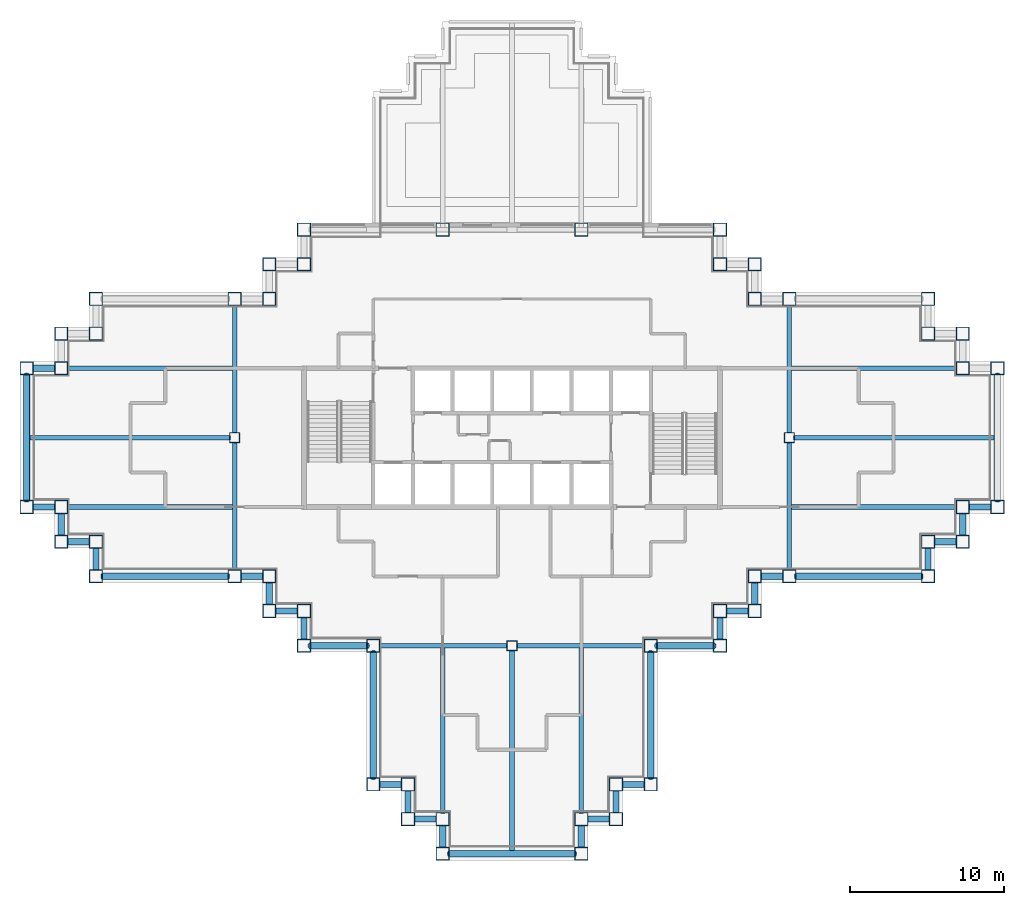
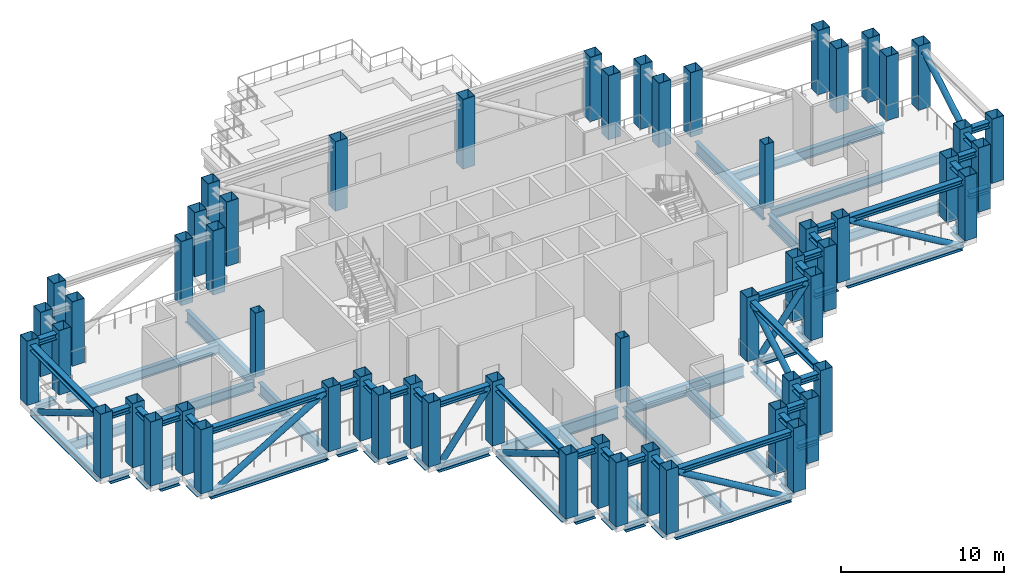
# One storey, part 1 of 10: 81 beams, 57 columns, 9 members.
"""IFC4 building model written with IfcOpenShell, lengths in metres."""

from ifc_helpers import new_model, si_unit, direction, frame, origin, origin_2d, place, context, subcontext, project, spatial, hollow_rectangle, hollow_circle, i_section, extrude, material, material_profile, profile_set, type_object, element, save


model = new_model("IFC4")

# Units and contexts
model_context = context("Model", 3, precision=1e-05, world=origin(), true_north=direction((0.0, 1.0)))
body_context = subcontext(model_context, "Body", "Model", "MODEL_VIEW")
ifc_project = project(units=[si_unit("LENGTHUNIT", "METRE"), si_unit("AREAUNIT", "SQUARE_METRE"), si_unit("VOLUMEUNIT", "CUBIC_METRE"), si_unit("PLANEANGLEUNIT", "RADIAN"), si_unit("MASSUNIT", "GRAM", prefix="KILO")], contexts=[model_context])

# Site, building, storey
site_placement = place(None, origin())
site = spatial("IfcSite", under=ifc_project, at=site_placement, CompositionType="ELEMENT")
building_placement = place(site_placement, origin())
building = spatial("IfcBuilding", under=site, at=building_placement, Name="Caravel Reach Hotel and Residences", CompositionType="ELEMENT")
storey_placement = place(building_placement, frame((0.0, 0.0, 140.39990234375)))
storey = spatial("IfcBuildingStorey", under=building, at=storey_placement, Name="L35", CompositionType="ELEMENT", Elevation=140.39990234375)

# Columns
ifc_material_1 = material(Name="Concrete-filled steel tube Q390B with Concrete C70 infill", Category="concrete")
ifc_material_profile_1 = material_profile(ifc_material_1, hollow_rectangle(XDim=0.64990234375, YDim=0.64990234375, WallThickness=0.02099609375, at=origin_2d()), Name="RHS 650x650x21")
ifc_profile_set_1 = profile_set([ifc_material_profile_1], Name="Concrete-filled steel tube Q390B with Concrete C70 infill")
column_type_1 = type_object("IfcColumnType", Name="CFT 650x650 Q390B C70", PredefinedType="COLUMN", material=ifc_profile_set_1)
for number, where, z_axis, x_axis, name in (
    (1, (31.5, 13.5, 0.0), (0.0, 0.0, 1.0), (1.0, 0.0, 0.0), "C17 column"),
    (2, (13.5, 27.0, 0.0), (0.0, 0.0, 1.0), (1.0, 0.0, 0.0), "C17 column"),
    (3, (49.5, 27.0, 0.0), (0.0, 0.0, 1.0), (1.0, 0.0, 0.0), "C17 column"),
):
    element("IfcColumn", number, at=place(storey_placement, frame(where, z_axis=z_axis, x_axis=x_axis)), inside=storey, type_object=column_type_1, Name=name, PredefinedType="COLUMN", context=body_context, shape_type="SweptSolid", body=[
        extrude(hollow_rectangle(XDim=0.64990234375, YDim=0.64990234375, WallThickness=0.02099609375, at=origin_2d()), origin(), (0.0, 0.0, 1.0), 4.800048828125),
    ])
ifc_material_2 = material(Name="Concrete-filled steel tube Q390B with Concrete C70 infill", Category="concrete")
ifc_material_profile_2 = material_profile(ifc_material_2, hollow_rectangle(XDim=0.85009765625, YDim=0.85009765625, WallThickness=0.02587890625, at=origin_2d()), Name="RHS 850x850x26")
ifc_profile_set_2 = profile_set([ifc_material_profile_2], Name="Concrete-filled steel tube Q390B with Concrete C70 infill")
column_type_2 = type_object("IfcColumnType", Name="CFT 850x850 Q390B C70", PredefinedType="COLUMN", material=ifc_profile_set_2)
for number, where, z_axis, x_axis, name in (
    (4, (22.5, 4.5, 0.0), (0.0, 0.0, 1.0), (1.0, 0.0, 0.0), "C13 column"),
    (5, (24.75, 4.5, 0.0), (0.0, 0.0, 1.0), (1.0, 0.0, 0.0), "C13 column"),
    (6, (24.75, 2.25, 0.0), (0.0, 0.0, 1.0), (1.0, 0.0, 0.0), "C13 column"),
    (7, (27.0, 2.25, 0.0), (0.0, 0.0, 1.0), (1.0, 0.0, 0.0), "C13 column"),
    (8, (27.0, 0.0, 0.0), (0.0, 0.0, 1.0), (1.0, 0.0, 0.0), "C13 column"),
    (9, (36.0, 0.0, 0.0), (0.0, 0.0, 1.0), (1.0, 0.0, 0.0), "C13 column"),
    (10, (36.0, 2.25, 0.0), (0.0, 0.0, 1.0), (1.0, 0.0, 0.0), "C13 column"),
    (11, (38.25, 2.25, 0.0), (0.0, 0.0, 1.0), (1.0, 0.0, 0.0), "C13 column"),
    (12, (38.25, 4.5, 0.0), (0.0, 0.0, 1.0), (1.0, 0.0, 0.0), "C13 column"),
    (13, (40.5, 4.5, 0.0), (0.0, 0.0, 1.0), (1.0, 0.0, 0.0), "C13 column"),
    (14, (40.5, 13.5, 0.0), (0.0, 0.0, 1.0), (1.0, 0.0, 0.0), "C13 column"),
    (15, (45.0, 13.5, 0.0), (0.0, 0.0, 1.0), (1.0, 0.0, 0.0), "C13 column"),
    (16, (45.0, 15.75, 0.0), (0.0, 0.0, 1.0), (1.0, 0.0, 0.0), "C13 column"),
    (17, (47.25, 15.75, 0.0), (0.0, 0.0, 1.0), (1.0, 0.0, 0.0), "C13 column"),
    (18, (47.25, 18.0, 0.0), (0.0, 0.0, 1.0), (1.0, 0.0, 0.0), "C13 column"),
    (19, (49.5, 18.0, 0.0), (0.0, 0.0, 1.0), (1.0, 0.0, 0.0), "C13 column"),
    (20, (58.5, 18.0, 0.0), (0.0, 0.0, 1.0), (1.0, 0.0, 0.0), "C13 column"),
    (21, (58.5, 20.25, 0.0), (0.0, 0.0, 1.0), (1.0, 0.0, 0.0), "C13 column"),
    (22, (60.75, 20.25, 0.0), (0.0, 0.0, 1.0), (1.0, 0.0, 0.0), "C13 column"),
    (23, (60.75, 22.5, 0.0), (0.0, 0.0, 1.0), (1.0, 0.0, 0.0), "C13 column"),
    (24, (63.0, 22.5, 0.0), (0.0, 0.0, 1.0), (1.0, 0.0, 0.0), "C13 column"),
    (25, (63.0, 31.5, 0.0), (0.0, 0.0, 1.0), (1.0, 0.0, 0.0), "C13 column"),
    (26, (60.75, 31.5, 0.0), (0.0, 0.0, 1.0), (1.0, 0.0, 0.0), "C13 column"),
    (27, (60.75, 33.75, 0.0), (0.0, 0.0, 1.0), (1.0, 0.0, 0.0), "C13 column"),
    (28, (58.5, 33.75, 0.0), (0.0, 0.0, 1.0), (1.0, 0.0, 0.0), "C13 column"),
    (29, (58.5, 36.0, 0.0), (0.0, 0.0, 1.0), (1.0, 0.0, 0.0), "C13 column"),
    (30, (49.5, 36.0, 0.0), (0.0, 0.0, 1.0), (1.0, 0.0, 0.0), "C13 column"),
    (31, (47.25, 36.0, 0.0), (0.0, 0.0, 1.0), (1.0, 0.0, 0.0), "C13 column"),
    (32, (47.25, 38.25, 0.0), (0.0, 0.0, 1.0), (1.0, 0.0, 0.0), "C13 column"),
    (33, (45.0, 38.25, 0.0), (0.0, 0.0, 1.0), (1.0, 0.0, 0.0), "C13 column"),
    (34, (45.0, 40.5, 0.0), (0.0, 0.0, 1.0), (1.0, 0.0, 0.0), "C13 column"),
):
    element("IfcColumn", number, at=place(storey_placement, frame(where, z_axis=z_axis, x_axis=x_axis)), inside=storey, type_object=column_type_2, Name=name, PredefinedType="COLUMN", context=body_context, shape_type="SweptSolid", body=[
        extrude(hollow_rectangle(XDim=0.85009765625, YDim=0.85009765625, WallThickness=0.02587890625, at=origin_2d()), origin(), (0.0, 0.0, 1.0), 4.800048828125),
    ])
for number, where, z_axis, x_axis, name in (
    (35, (36.0, 40.5, -0.39990234375), (0.0, 0.0, 1.0), (1.0, 0.0, 0.0), "C13 column"),
    (36, (27.0, 40.5, -0.39990234375), (0.0, 0.0, 1.0), (1.0, 0.0, 0.0), "C13 column"),
):
    element("IfcColumn", number, at=place(storey_placement, frame(where, z_axis=z_axis, x_axis=x_axis)), inside=storey, type_object=column_type_2, Name=name, PredefinedType="COLUMN", context=body_context, shape_type="SweptSolid", body=[
        extrude(hollow_rectangle(XDim=0.85009765625, YDim=0.85009765625, WallThickness=0.02587890625, at=origin_2d()), origin(), (0.0, 0.0, 1.0), 5.199951171875),
    ])
for number, where, z_axis, x_axis, name in (
    (37, (18.0, 40.5, 0.0), (0.0, 0.0, 1.0), (1.0, 0.0, 0.0), "C13 column"),
    (38, (18.0, 38.25, 0.0), (0.0, 0.0, 1.0), (1.0, 0.0, 0.0), "C13 column"),
    (39, (15.75, 38.25, 0.0), (0.0, 0.0, 1.0), (1.0, 0.0, 0.0), "C13 column"),
    (40, (15.75, 36.0, 0.0), (0.0, 0.0, 1.0), (1.0, 0.0, 0.0), "C13 column"),
    (41, (13.5, 36.0, 0.0), (0.0, 0.0, 1.0), (1.0, 0.0, 0.0), "C13 column"),
    (42, (4.5, 36.0, 0.0), (0.0, 0.0, 1.0), (1.0, 0.0, 0.0), "C13 column"),
    (43, (4.5, 33.75, 0.0), (0.0, 0.0, 1.0), (1.0, 0.0, 0.0), "C13 column"),
    (44, (2.25, 33.75, 0.0), (0.0, 0.0, 1.0), (1.0, 0.0, 0.0), "C13 column"),
    (45, (2.25, 31.5, 0.0), (0.0, 0.0, 1.0), (1.0, 0.0, 0.0), "C13 column"),
    (46, (0.0, 31.5, 0.0), (0.0, 0.0, 1.0), (1.0, 0.0, 0.0), "C13 column"),
    (47, (0.0, 22.5, 0.0), (0.0, 0.0, 1.0), (1.0, 0.0, 0.0), "C13 column"),
    (48, (2.25, 22.5, 0.0), (0.0, 0.0, 1.0), (1.0, 0.0, 0.0), "C13 column"),
    (49, (2.25, 20.25, 0.0), (0.0, 0.0, 1.0), (1.0, 0.0, 0.0), "C13 column"),
    (50, (4.5, 20.25, 0.0), (0.0, 0.0, 1.0), (1.0, 0.0, 0.0), "C13 column"),
    (51, (4.5, 18.0, 0.0), (0.0, 0.0, 1.0), (1.0, 0.0, 0.0), "C13 column"),
    (52, (13.5, 18.0, 0.0), (0.0, 0.0, 1.0), (1.0, 0.0, 0.0), "C13 column"),
    (53, (15.75, 18.0, 0.0), (0.0, 0.0, 1.0), (1.0, 0.0, 0.0), "C13 column"),
    (54, (15.75, 15.75, 0.0), (0.0, 0.0, 1.0), (1.0, 0.0, 0.0), "C13 column"),
    (55, (18.0, 15.75, 0.0), (0.0, 0.0, 1.0), (1.0, 0.0, 0.0), "C13 column"),
    (56, (18.0, 13.5, 0.0), (0.0, 0.0, 1.0), (1.0, 0.0, 0.0), "C13 column"),
    (57, (22.5, 13.5, 0.0), (0.0, 0.0, 1.0), (1.0, 0.0, 0.0), "C13 column"),
):
    element("IfcColumn", number, at=place(storey_placement, frame(where, z_axis=z_axis, x_axis=x_axis)), inside=storey, type_object=column_type_2, Name=name, PredefinedType="COLUMN", context=body_context, shape_type="SweptSolid", body=[
        extrude(hollow_rectangle(XDim=0.85009765625, YDim=0.85009765625, WallThickness=0.02587890625, at=origin_2d()), origin(), (0.0, 0.0, 1.0), 4.800048828125),
    ])

# Beams
ifc_material_3 = material(Name="Structural steel Q355B", Category="steel")
ifc_material_profile_3 = material_profile(ifc_material_3, i_section(OverallWidth=0.300048828125, OverallDepth=0.699951171875, WebThickness=0.012939453125, FlangeThickness=0.02392578125, FilletRadius=0.01806640625, at=origin_2d()), Name="HN 700x300x13x24")
ifc_profile_set_3 = profile_set([ifc_material_profile_3], Name="Structural steel Q355B")
beam_type_1 = type_object("IfcBeamType", Name="Beam HN 700x300x13x24", PredefinedType="BEAM", material=ifc_profile_set_3)
beam_1_placement = place(storey_placement, frame((27.0, 13.39990234375, -0.75), z_axis=(0.0, -1.0, 0.0), x_axis=(1.0, 0.0, 0.0)))
element("IfcBeam", 58, at=beam_1_placement, inside=storey, type_object=beam_type_1, Name="B2 HN 700x300x13x24", PredefinedType="BEAM", context=body_context, shape_type="SweptSolid", body=[
    extrude(i_section(OverallWidth=0.300048828125, OverallDepth=0.699951171875, WebThickness=0.012939453125, FlangeThickness=0.02392578125, FilletRadius=0.01806640625, at=origin_2d()), origin(), (0.0, 0.0, 1.0), 10.77490234375),
])
beam_2_placement = place(storey_placement, frame((31.5, 13.22509765625, -0.75), z_axis=(0.0, -1.0, 0.0), x_axis=(1.0, 0.0, 0.0)))
element("IfcBeam", 59, at=beam_2_placement, inside=storey, type_object=beam_type_1, Name="B2 HN 700x300x13x24", PredefinedType="BEAM", context=body_context, shape_type="SweptSolid", body=[
    extrude(i_section(OverallWidth=0.300048828125, OverallDepth=0.699951171875, WebThickness=0.012939453125, FlangeThickness=0.02392578125, FilletRadius=0.01806640625, at=origin_2d()), origin(), (0.0, 0.0, 1.0), 13.125),
])
for number, where, z_axis, x_axis, name in (
    (60, (36.0, 13.39990234375, -0.75), (0.0, -1.0, 0.0), (1.0, 0.0, 0.0), "B2 HN 700x300x13x24"),
    (61, (49.60009765625, 22.5, -0.75), (1.0, 0.0, 0.0), (0.0, 1.0, 0.0), "B2 HN 700x300x13x24"),
):
    element("IfcBeam", number, at=place(storey_placement, frame(where, z_axis=z_axis, x_axis=x_axis)), inside=storey, type_object=beam_type_1, Name=name, PredefinedType="BEAM", context=body_context, shape_type="SweptSolid", body=[
        extrude(i_section(OverallWidth=0.300048828125, OverallDepth=0.699951171875, WebThickness=0.012939453125, FlangeThickness=0.02392578125, FilletRadius=0.01806640625, at=origin_2d()), origin(), (0.0, 0.0, 1.0), 10.77490234375),
    ])
beam_3_placement = place(storey_placement, frame((49.77490234375, 27.0, -0.75), z_axis=(1.0, 0.0, 0.0), x_axis=(0.0, 1.0, 0.0)))
element("IfcBeam", 62, at=beam_3_placement, inside=storey, type_object=beam_type_1, Name="B2 HN 700x300x13x24", PredefinedType="BEAM", context=body_context, shape_type="SweptSolid", body=[
    extrude(i_section(OverallWidth=0.300048828125, OverallDepth=0.699951171875, WebThickness=0.012939453125, FlangeThickness=0.02392578125, FilletRadius=0.01806640625, at=origin_2d()), origin(), (0.0, 0.0, 1.0), 13.125),
])
for number, where, z_axis, x_axis, name in (
    (63, (49.60009765625, 31.5, -0.75), (1.0, 0.0, 0.0), (0.0, 1.0, 0.0), "B2 HN 700x300x13x24"),
    (64, (13.39990234375, 22.5, -0.75), (-1.0, 0.0, 0.0), (0.0, -1.0, 0.0), "B2 HN 700x300x13x24"),
):
    element("IfcBeam", number, at=place(storey_placement, frame(where, z_axis=z_axis, x_axis=x_axis)), inside=storey, type_object=beam_type_1, Name=name, PredefinedType="BEAM", context=body_context, shape_type="SweptSolid", body=[
        extrude(i_section(OverallWidth=0.300048828125, OverallDepth=0.699951171875, WebThickness=0.012939453125, FlangeThickness=0.02392578125, FilletRadius=0.01806640625, at=origin_2d()), origin(), (0.0, 0.0, 1.0), 10.77490234375),
    ])
beam_4_placement = place(storey_placement, frame((13.22509765625, 27.0, -0.75), z_axis=(-1.0, 0.0, 0.0), x_axis=(0.0, -1.0, 0.0)))
element("IfcBeam", 65, at=beam_4_placement, inside=storey, type_object=beam_type_1, Name="B2 HN 700x300x13x24", PredefinedType="BEAM", context=body_context, shape_type="SweptSolid", body=[
    extrude(i_section(OverallWidth=0.300048828125, OverallDepth=0.699951171875, WebThickness=0.012939453125, FlangeThickness=0.02392578125, FilletRadius=0.01806640625, at=origin_2d()), origin(), (0.0, 0.0, 1.0), 13.125),
])
beam_5_placement = place(storey_placement, frame((13.39990234375, 31.5, -0.75), z_axis=(-1.0, 0.0, 0.0), x_axis=(0.0, -1.0, 0.0)))
element("IfcBeam", 66, at=beam_5_placement, inside=storey, type_object=beam_type_1, Name="B2 HN 700x300x13x24", PredefinedType="BEAM", context=body_context, shape_type="SweptSolid", body=[
    extrude(i_section(OverallWidth=0.300048828125, OverallDepth=0.699951171875, WebThickness=0.012939453125, FlangeThickness=0.02392578125, FilletRadius=0.01806640625, at=origin_2d()), origin(), (0.0, 0.0, 1.0), 10.77490234375),
])
ifc_material_4 = material(Name="Structural steel Q355B", Category="steel")
ifc_material_profile_4 = material_profile(ifc_material_4, i_section(OverallWidth=0.300048828125, OverallDepth=0.89990234375, WebThickness=0.01611328125, FlangeThickness=0.028076171875, FilletRadius=0.01806640625, at=origin_2d()), Name="HN 900x300x16x28")
ifc_profile_set_4 = profile_set([ifc_material_profile_4], Name="Structural steel Q355B")
beam_type_2 = type_object("IfcBeamType", Name="Beam HN 900x300x16x28", PredefinedType="BEAM", material=ifc_profile_set_4)
for number, where, z_axis, x_axis, name in (
    (67, (22.925048828125, 13.5, -0.849853515625), (1.0, 0.0, 0.0), (0.0, 1.0, 0.0), "B3 HN 900x300x16x28"),
    (68, (31.824951171875, 13.5, -0.849853515625), (1.0, 0.0, 0.0), (0.0, 1.0, 0.0), "B3 HN 900x300x16x28"),
    (69, (13.5, 18.425048828125, -0.849853515625), (0.0, 1.0, 0.0), (-1.0, 0.0, 0.0), "B3 HN 900x300x16x28"),
    (70, (13.5, 27.324951171875, -0.849853515625), (0.0, 1.0, 0.0), (-1.0, 0.0, 0.0), "B3 HN 900x300x16x28"),
    (71, (49.5, 18.425048828125, -0.849853515625), (0.0, 1.0, 0.0), (-1.0, 0.0, 0.0), "B3 HN 900x300x16x28"),
    (72, (49.5, 27.324951171875, -0.849853515625), (0.0, 1.0, 0.0), (-1.0, 0.0, 0.0), "B3 HN 900x300x16x28"),
):
    element("IfcBeam", number, at=place(storey_placement, frame(where, z_axis=z_axis, x_axis=x_axis)), inside=storey, type_object=beam_type_2, Name=name, PredefinedType="BEAM", context=body_context, shape_type="SweptSolid", body=[
        extrude(i_section(OverallWidth=0.300048828125, OverallDepth=0.89990234375, WebThickness=0.01611328125, FlangeThickness=0.028076171875, FilletRadius=0.01806640625, at=origin_2d()), origin(), (0.0, 0.0, 1.0), 8.25),
    ])
ifc_material_5 = material(Name="Structural steel Q355B", Category="steel")
ifc_material_profile_5 = material_profile(ifc_material_5, i_section(OverallWidth=0.406982421875, OverallDepth=0.427978515625, WebThickness=0.02001953125, FlangeThickness=0.034912109375, FilletRadius=0.02197265625, at=origin_2d()), Name="HW 428x407x20x35")
ifc_profile_set_5 = profile_set([ifc_material_profile_5], Name="Structural steel Q355B")
beam_type_3 = type_object("IfcBeamType", Name="Beam HW 428x407x20x35", PredefinedType="BEAM", material=ifc_profile_set_5)
for number, where, z_axis, x_axis, name in (
    (73, (22.925048828125, 4.5, -0.614013671875), (1.0, 0.0, 0.0), (0.0, 1.0, 0.0), "Belt truss BT-L35 bottom chord"),
    (74, (22.925048828125, 4.5, 4.236083984375), (1.0, 0.0, 0.0), (0.0, 1.0, 0.0), "Belt truss BT-L35 top chord"),
    (75, (24.75, 4.074951171875, -0.614013671875), (0.0, -1.0, 0.0), (1.0, 0.0, 0.0), "Belt truss BT-L35 bottom chord"),
    (76, (24.75, 4.074951171875, 4.236083984375), (0.0, -1.0, 0.0), (1.0, 0.0, 0.0), "Belt truss BT-L35 top chord"),
    (77, (25.175048828125, 2.25, -0.614013671875), (1.0, 0.0, 0.0), (0.0, 1.0, 0.0), "Belt truss BT-L35 bottom chord"),
    (78, (25.175048828125, 2.25, 4.236083984375), (1.0, 0.0, 0.0), (0.0, 1.0, 0.0), "Belt truss BT-L35 top chord"),
    (79, (27.0, 1.824951171875, -0.614013671875), (0.0, -1.0, 0.0), (1.0, 0.0, 0.0), "Belt truss BT-L35 bottom chord"),
    (80, (27.0, 1.824951171875, 4.236083984375), (0.0, -1.0, 0.0), (1.0, 0.0, 0.0), "Belt truss BT-L35 top chord"),
):
    element("IfcBeam", number, at=place(storey_placement, frame(where, z_axis=z_axis, x_axis=x_axis)), inside=storey, type_object=beam_type_3, Name=name, PredefinedType="BEAM", context=body_context, shape_type="SweptSolid", body=[
        extrude(i_section(OverallWidth=0.406982421875, OverallDepth=0.427978515625, WebThickness=0.02001953125, FlangeThickness=0.034912109375, FilletRadius=0.02197265625, at=origin_2d()), origin(), (0.0, 0.0, 1.0), 1.39990234375),
    ])
for number, where, z_axis, x_axis, name in (
    (81, (27.425048828125, 0.0, -0.614013671875), (1.0, 0.0, 0.0), (0.0, 1.0, 0.0), "Belt truss BT-L35 bottom chord"),
    (82, (27.425048828125, 0.0, 4.236083984375), (1.0, 0.0, 0.0), (0.0, 1.0, 0.0), "Belt truss BT-L35 top chord"),
):
    element("IfcBeam", number, at=place(storey_placement, frame(where, z_axis=z_axis, x_axis=x_axis)), inside=storey, type_object=beam_type_3, Name=name, PredefinedType="BEAM", context=body_context, shape_type="SweptSolid", body=[
        extrude(i_section(OverallWidth=0.406982421875, OverallDepth=0.427978515625, WebThickness=0.02001953125, FlangeThickness=0.034912109375, FilletRadius=0.02197265625, at=origin_2d()), origin(), (0.0, 0.0, 1.0), 8.14990234375),
    ])
for number, where, z_axis, x_axis, name in (
    (83, (36.0, 0.425048828125, -0.614013671875), (0.0, 1.0, 0.0), (-1.0, 0.0, 0.0), "Belt truss BT-L35 bottom chord"),
    (84, (36.0, 0.425048828125, 4.236083984375), (0.0, 1.0, 0.0), (-1.0, 0.0, 0.0), "Belt truss BT-L35 top chord"),
    (85, (36.425048828125, 2.25, -0.614013671875), (1.0, 0.0, 0.0), (0.0, 1.0, 0.0), "Belt truss BT-L35 bottom chord"),
    (86, (36.425048828125, 2.25, 4.236083984375), (1.0, 0.0, 0.0), (0.0, 1.0, 0.0), "Belt truss BT-L35 top chord"),
    (87, (38.25, 2.675048828125, -0.614013671875), (0.0, 1.0, 0.0), (-1.0, 0.0, 0.0), "Belt truss BT-L35 bottom chord"),
    (88, (38.25, 2.675048828125, 4.236083984375), (0.0, 1.0, 0.0), (-1.0, 0.0, 0.0), "Belt truss BT-L35 top chord"),
    (89, (38.675048828125, 4.5, -0.614013671875), (1.0, 0.0, 0.0), (0.0, 1.0, 0.0), "Belt truss BT-L35 bottom chord"),
    (90, (38.675048828125, 4.5, 4.236083984375), (1.0, 0.0, 0.0), (0.0, 1.0, 0.0), "Belt truss BT-L35 top chord"),
):
    element("IfcBeam", number, at=place(storey_placement, frame(where, z_axis=z_axis, x_axis=x_axis)), inside=storey, type_object=beam_type_3, Name=name, PredefinedType="BEAM", context=body_context, shape_type="SweptSolid", body=[
        extrude(i_section(OverallWidth=0.406982421875, OverallDepth=0.427978515625, WebThickness=0.02001953125, FlangeThickness=0.034912109375, FilletRadius=0.02197265625, at=origin_2d()), origin(), (0.0, 0.0, 1.0), 1.39990234375),
    ])
for number, where, z_axis, x_axis, name in (
    (91, (40.5, 4.925048828125, -0.614013671875), (0.0, 1.0, 0.0), (-1.0, 0.0, 0.0), "Belt truss BT-L35 bottom chord"),
    (92, (40.5, 4.925048828125, 4.236083984375), (0.0, 1.0, 0.0), (-1.0, 0.0, 0.0), "Belt truss BT-L35 top chord"),
):
    element("IfcBeam", number, at=place(storey_placement, frame(where, z_axis=z_axis, x_axis=x_axis)), inside=storey, type_object=beam_type_3, Name=name, PredefinedType="BEAM", context=body_context, shape_type="SweptSolid", body=[
        extrude(i_section(OverallWidth=0.406982421875, OverallDepth=0.427978515625, WebThickness=0.02001953125, FlangeThickness=0.034912109375, FilletRadius=0.02197265625, at=origin_2d()), origin(), (0.0, 0.0, 1.0), 8.14990234375),
    ])
for number, where, z_axis, x_axis, name in (
    (93, (40.925048828125, 13.5, -0.614013671875), (1.0, 0.0, 0.0), (0.0, 1.0, 0.0), "Belt truss BT-L35 bottom chord"),
    (94, (40.925048828125, 13.5, 4.236083984375), (1.0, 0.0, 0.0), (0.0, 1.0, 0.0), "Belt truss BT-L35 top chord"),
):
    element("IfcBeam", number, at=place(storey_placement, frame(where, z_axis=z_axis, x_axis=x_axis)), inside=storey, type_object=beam_type_3, Name=name, PredefinedType="BEAM", context=body_context, shape_type="SweptSolid", body=[
        extrude(i_section(OverallWidth=0.406982421875, OverallDepth=0.427978515625, WebThickness=0.02001953125, FlangeThickness=0.034912109375, FilletRadius=0.02197265625, at=origin_2d()), origin(), (0.0, 0.0, 1.0), 3.64990234375),
    ])
for number, where, z_axis, x_axis, name in (
    (95, (45.0, 13.925048828125, -0.614013671875), (0.0, 1.0, 0.0), (-1.0, 0.0, 0.0), "Belt truss BT-L35 bottom chord"),
    (96, (45.0, 13.925048828125, 4.236083984375), (0.0, 1.0, 0.0), (-1.0, 0.0, 0.0), "Belt truss BT-L35 top chord"),
    (97, (45.425048828125, 15.75, -0.614013671875), (1.0, 0.0, 0.0), (0.0, 1.0, 0.0), "Belt truss BT-L35 bottom chord"),
    (98, (45.425048828125, 15.75, 4.236083984375), (1.0, 0.0, 0.0), (0.0, 1.0, 0.0), "Belt truss BT-L35 top chord"),
    (99, (47.25, 16.175048828125, -0.614013671875), (0.0, 1.0, 0.0), (-1.0, 0.0, 0.0), "Belt truss BT-L35 bottom chord"),
    (100, (47.25, 16.175048828125, 4.236083984375), (0.0, 1.0, 0.0), (-1.0, 0.0, 0.0), "Belt truss BT-L35 top chord"),
    (101, (47.675048828125, 18.0, -0.614013671875), (1.0, 0.0, 0.0), (0.0, 1.0, 0.0), "Belt truss BT-L35 bottom chord"),
    (102, (47.675048828125, 18.0, 4.236083984375), (1.0, 0.0, 0.0), (0.0, 1.0, 0.0), "Belt truss BT-L35 top chord"),
):
    element("IfcBeam", number, at=place(storey_placement, frame(where, z_axis=z_axis, x_axis=x_axis)), inside=storey, type_object=beam_type_3, Name=name, PredefinedType="BEAM", context=body_context, shape_type="SweptSolid", body=[
        extrude(i_section(OverallWidth=0.406982421875, OverallDepth=0.427978515625, WebThickness=0.02001953125, FlangeThickness=0.034912109375, FilletRadius=0.02197265625, at=origin_2d()), origin(), (0.0, 0.0, 1.0), 1.39990234375),
    ])
for number, where, z_axis, x_axis, name in (
    (103, (49.925048828125, 18.0, -0.614013671875), (1.0, 0.0, 0.0), (0.0, 1.0, 0.0), "Belt truss BT-L35 bottom chord"),
    (104, (49.925048828125, 18.0, 4.236083984375), (1.0, 0.0, 0.0), (0.0, 1.0, 0.0), "Belt truss BT-L35 top chord"),
):
    element("IfcBeam", number, at=place(storey_placement, frame(where, z_axis=z_axis, x_axis=x_axis)), inside=storey, type_object=beam_type_3, Name=name, PredefinedType="BEAM", context=body_context, shape_type="SweptSolid", body=[
        extrude(i_section(OverallWidth=0.406982421875, OverallDepth=0.427978515625, WebThickness=0.02001953125, FlangeThickness=0.034912109375, FilletRadius=0.02197265625, at=origin_2d()), origin(), (0.0, 0.0, 1.0), 8.14990234375),
    ])
for number, where, z_axis, x_axis, name in (
    (105, (58.5, 18.425048828125, -0.614013671875), (0.0, 1.0, 0.0), (-1.0, 0.0, 0.0), "Belt truss BT-L35 bottom chord"),
    (106, (58.5, 18.425048828125, 4.236083984375), (0.0, 1.0, 0.0), (-1.0, 0.0, 0.0), "Belt truss BT-L35 top chord"),
    (107, (58.925048828125, 20.25, -0.614013671875), (1.0, 0.0, 0.0), (0.0, 1.0, 0.0), "Belt truss BT-L35 bottom chord"),
    (108, (58.925048828125, 20.25, 4.236083984375), (1.0, 0.0, 0.0), (0.0, 1.0, 0.0), "Belt truss BT-L35 top chord"),
    (109, (60.75, 20.675048828125, -0.614013671875), (0.0, 1.0, 0.0), (-1.0, 0.0, 0.0), "Belt truss BT-L35 bottom chord"),
    (110, (60.75, 20.675048828125, 4.236083984375), (0.0, 1.0, 0.0), (-1.0, 0.0, 0.0), "Belt truss BT-L35 top chord"),
    (111, (61.175048828125, 22.5, -0.614013671875), (1.0, 0.0, 0.0), (0.0, 1.0, 0.0), "Belt truss BT-L35 bottom chord"),
    (112, (61.175048828125, 22.5, 4.236083984375), (1.0, 0.0, 0.0), (0.0, 1.0, 0.0), "Belt truss BT-L35 top chord"),
    (113, (1.824951171875, 31.5, -0.614013671875), (-1.0, 0.0, 0.0), (0.0, -1.0, 0.0), "Belt truss BT-L35 bottom chord"),
    (114, (1.824951171875, 31.5, 4.236083984375), (-1.0, 0.0, 0.0), (0.0, -1.0, 0.0), "Belt truss BT-L35 top chord"),
):
    element("IfcBeam", number, at=place(storey_placement, frame(where, z_axis=z_axis, x_axis=x_axis)), inside=storey, type_object=beam_type_3, Name=name, PredefinedType="BEAM", context=body_context, shape_type="SweptSolid", body=[
        extrude(i_section(OverallWidth=0.406982421875, OverallDepth=0.427978515625, WebThickness=0.02001953125, FlangeThickness=0.034912109375, FilletRadius=0.02197265625, at=origin_2d()), origin(), (0.0, 0.0, 1.0), 1.39990234375),
    ])
for number, where, z_axis, x_axis, name in (
    (115, (0.0, 31.074951171875, -0.614013671875), (0.0, -1.0, 0.0), (1.0, 0.0, 0.0), "Belt truss BT-L35 bottom chord"),
    (116, (0.0, 31.074951171875, 4.236083984375), (0.0, -1.0, 0.0), (1.0, 0.0, 0.0), "Belt truss BT-L35 top chord"),
):
    element("IfcBeam", number, at=place(storey_placement, frame(where, z_axis=z_axis, x_axis=x_axis)), inside=storey, type_object=beam_type_3, Name=name, PredefinedType="BEAM", context=body_context, shape_type="SweptSolid", body=[
        extrude(i_section(OverallWidth=0.406982421875, OverallDepth=0.427978515625, WebThickness=0.02001953125, FlangeThickness=0.034912109375, FilletRadius=0.02197265625, at=origin_2d()), origin(), (0.0, 0.0, 1.0), 8.14990234375),
    ])
for number, where, z_axis, x_axis, name in (
    (117, (0.425048828125, 22.5, -0.614013671875), (1.0, 0.0, 0.0), (0.0, 1.0, 0.0), "Belt truss BT-L35 bottom chord"),
    (118, (0.425048828125, 22.5, 4.236083984375), (1.0, 0.0, 0.0), (0.0, 1.0, 0.0), "Belt truss BT-L35 top chord"),
    (119, (2.25, 22.074951171875, -0.614013671875), (0.0, -1.0, 0.0), (1.0, 0.0, 0.0), "Belt truss BT-L35 bottom chord"),
    (120, (2.25, 22.074951171875, 4.236083984375), (0.0, -1.0, 0.0), (1.0, 0.0, 0.0), "Belt truss BT-L35 top chord"),
    (121, (2.675048828125, 20.25, -0.614013671875), (1.0, 0.0, 0.0), (0.0, 1.0, 0.0), "Belt truss BT-L35 bottom chord"),
    (122, (2.675048828125, 20.25, 4.236083984375), (1.0, 0.0, 0.0), (0.0, 1.0, 0.0), "Belt truss BT-L35 top chord"),
    (123, (4.5, 19.824951171875, -0.614013671875), (0.0, -1.0, 0.0), (1.0, 0.0, 0.0), "Belt truss BT-L35 bottom chord"),
    (124, (4.5, 19.824951171875, 4.236083984375), (0.0, -1.0, 0.0), (1.0, 0.0, 0.0), "Belt truss BT-L35 top chord"),
):
    element("IfcBeam", number, at=place(storey_placement, frame(where, z_axis=z_axis, x_axis=x_axis)), inside=storey, type_object=beam_type_3, Name=name, PredefinedType="BEAM", context=body_context, shape_type="SweptSolid", body=[
        extrude(i_section(OverallWidth=0.406982421875, OverallDepth=0.427978515625, WebThickness=0.02001953125, FlangeThickness=0.034912109375, FilletRadius=0.02197265625, at=origin_2d()), origin(), (0.0, 0.0, 1.0), 1.39990234375),
    ])
for number, where, z_axis, x_axis, name in (
    (125, (4.925048828125, 18.0, -0.614013671875), (1.0, 0.0, 0.0), (0.0, 1.0, 0.0), "Belt truss BT-L35 bottom chord"),
    (126, (4.925048828125, 18.0, 4.236083984375), (1.0, 0.0, 0.0), (0.0, 1.0, 0.0), "Belt truss BT-L35 top chord"),
):
    element("IfcBeam", number, at=place(storey_placement, frame(where, z_axis=z_axis, x_axis=x_axis)), inside=storey, type_object=beam_type_3, Name=name, PredefinedType="BEAM", context=body_context, shape_type="SweptSolid", body=[
        extrude(i_section(OverallWidth=0.406982421875, OverallDepth=0.427978515625, WebThickness=0.02001953125, FlangeThickness=0.034912109375, FilletRadius=0.02197265625, at=origin_2d()), origin(), (0.0, 0.0, 1.0), 8.14990234375),
    ])
for number, where, z_axis, x_axis, name in (
    (127, (13.925048828125, 18.0, -0.614013671875), (1.0, 0.0, 0.0), (0.0, 1.0, 0.0), "Belt truss BT-L35 bottom chord"),
    (128, (13.925048828125, 18.0, 4.236083984375), (1.0, 0.0, 0.0), (0.0, 1.0, 0.0), "Belt truss BT-L35 top chord"),
    (129, (15.75, 17.574951171875, -0.614013671875), (0.0, -1.0, 0.0), (1.0, 0.0, 0.0), "Belt truss BT-L35 bottom chord"),
    (130, (15.75, 17.574951171875, 4.236083984375), (0.0, -1.0, 0.0), (1.0, 0.0, 0.0), "Belt truss BT-L35 top chord"),
    (131, (16.175048828125, 15.75, -0.614013671875), (1.0, 0.0, 0.0), (0.0, 1.0, 0.0), "Belt truss BT-L35 bottom chord"),
    (132, (16.175048828125, 15.75, 4.236083984375), (1.0, 0.0, 0.0), (0.0, 1.0, 0.0), "Belt truss BT-L35 top chord"),
    (133, (18.0, 15.324951171875, -0.614013671875), (0.0, -1.0, 0.0), (1.0, 0.0, 0.0), "Belt truss BT-L35 bottom chord"),
    (134, (18.0, 15.324951171875, 4.236083984375), (0.0, -1.0, 0.0), (1.0, 0.0, 0.0), "Belt truss BT-L35 top chord"),
):
    element("IfcBeam", number, at=place(storey_placement, frame(where, z_axis=z_axis, x_axis=x_axis)), inside=storey, type_object=beam_type_3, Name=name, PredefinedType="BEAM", context=body_context, shape_type="SweptSolid", body=[
        extrude(i_section(OverallWidth=0.406982421875, OverallDepth=0.427978515625, WebThickness=0.02001953125, FlangeThickness=0.034912109375, FilletRadius=0.02197265625, at=origin_2d()), origin(), (0.0, 0.0, 1.0), 1.39990234375),
    ])
for number, where, z_axis, x_axis, name in (
    (135, (18.425048828125, 13.5, -0.614013671875), (1.0, 0.0, 0.0), (0.0, 1.0, 0.0), "Belt truss BT-L35 bottom chord"),
    (136, (18.425048828125, 13.5, 4.236083984375), (1.0, 0.0, 0.0), (0.0, 1.0, 0.0), "Belt truss BT-L35 top chord"),
):
    element("IfcBeam", number, at=place(storey_placement, frame(where, z_axis=z_axis, x_axis=x_axis)), inside=storey, type_object=beam_type_3, Name=name, PredefinedType="BEAM", context=body_context, shape_type="SweptSolid", body=[
        extrude(i_section(OverallWidth=0.406982421875, OverallDepth=0.427978515625, WebThickness=0.02001953125, FlangeThickness=0.034912109375, FilletRadius=0.02197265625, at=origin_2d()), origin(), (0.0, 0.0, 1.0), 3.64990234375),
    ])
for number, where, z_axis, x_axis, name in (
    (137, (22.5, 13.074951171875, -0.614013671875), (0.0, -1.0, 0.0), (1.0, 0.0, 0.0), "Belt truss BT-L35 bottom chord"),
    (138, (22.5, 13.074951171875, 4.236083984375), (0.0, -1.0, 0.0), (1.0, 0.0, 0.0), "Belt truss BT-L35 top chord"),
):
    element("IfcBeam", number, at=place(storey_placement, frame(where, z_axis=z_axis, x_axis=x_axis)), inside=storey, type_object=beam_type_3, Name=name, PredefinedType="BEAM", context=body_context, shape_type="SweptSolid", body=[
        extrude(i_section(OverallWidth=0.406982421875, OverallDepth=0.427978515625, WebThickness=0.02001953125, FlangeThickness=0.034912109375, FilletRadius=0.02197265625, at=origin_2d()), origin(), (0.0, 0.0, 1.0), 8.14990234375),
    ])

# Members
ifc_material_6 = material(Name="Structural steel Q390B", Category="steel")
ifc_material_profile_6 = material_profile(ifc_material_6, hollow_circle(Radius=0.212890625, WallThickness=0.01611328125, at=origin_2d()), Name="CHS 426x16")
ifc_profile_set_6 = profile_set([ifc_material_profile_6], Name="Structural steel Q390B")
member_type = type_object("IfcMemberType", Name="Brace CHS 426x16", PredefinedType="BRACE", material=ifc_profile_set_6)
for number, where, z_axis, x_axis, name in (
    (139, (35.574951171875, 0.0, -0.614013671875), (-0.859340831555, 0.0, 0.511403299972), (0.0, -1.0, 0.0), "Belt truss BT-L35 diagonal"),
    (140, (40.5, 4.925048828125, -0.614013671875), (0.0, 0.859340831555, 0.511403299972), (-1.0, 0.0, 0.0), "Belt truss BT-L35 diagonal"),
):
    element("IfcMember", number, at=place(storey_placement, frame(where, z_axis=z_axis, x_axis=x_axis)), inside=storey, type_object=member_type, Name=name, PredefinedType="BRACE", context=body_context, shape_type="SweptSolid", body=[
        extrude(hollow_circle(Radius=0.212890625, WallThickness=0.01611328125, at=origin_2d()), origin(), (0.0, 0.0, 1.0), 9.48388671875),
    ])
member_1_placement = place(storey_placement, frame((40.925048828125, 13.5, -0.614013671875), z_axis=(0.601299140216, 0.0, 0.799023994618), x_axis=(0.0, 1.0, 0.0)))
element("IfcMember", 141, at=member_1_placement, inside=storey, type_object=member_type, Name="Belt truss BT-L35 diagonal", PredefinedType="BRACE", context=body_context, shape_type="SweptSolid", body=[
    extrude(hollow_circle(Radius=0.212890625, WallThickness=0.01611328125, at=origin_2d()), origin(), (0.0, 0.0, 1.0), 6.070068359375),
])
for number, where, z_axis, x_axis, name in (
    (142, (58.074951171875, 18.0, -0.614013671875), (-0.859340831555, 0.0, 0.511403299972), (0.0, -1.0, 0.0), "Belt truss BT-L35 diagonal"),
    (143, (63.0, 22.925048828125, -0.614013671875), (0.0, 0.859340831555, 0.511403299972), (-1.0, 0.0, 0.0), "Belt truss BT-L35 diagonal"),
    (144, (0.0, 31.074951171875, -0.614013671875), (0.0, -0.859340831555, 0.511403299972), (1.0, 0.0, 0.0), "Belt truss BT-L35 diagonal"),
    (145, (4.925048828125, 18.0, -0.614013671875), (0.859340831555, 0.0, 0.511403299972), (0.0, 1.0, 0.0), "Belt truss BT-L35 diagonal"),
):
    element("IfcMember", number, at=place(storey_placement, frame(where, z_axis=z_axis, x_axis=x_axis)), inside=storey, type_object=member_type, Name=name, PredefinedType="BRACE", context=body_context, shape_type="SweptSolid", body=[
        extrude(hollow_circle(Radius=0.212890625, WallThickness=0.01611328125, at=origin_2d()), origin(), (0.0, 0.0, 1.0), 9.48388671875),
    ])
member_2_placement = place(storey_placement, frame((18.425048828125, 13.5, -0.614013671875), z_axis=(0.601299140216, 0.0, 0.799023994618), x_axis=(0.0, 1.0, 0.0)))
element("IfcMember", 146, at=member_2_placement, inside=storey, type_object=member_type, Name="Belt truss BT-L35 diagonal", PredefinedType="BRACE", context=body_context, shape_type="SweptSolid", body=[
    extrude(hollow_circle(Radius=0.212890625, WallThickness=0.01611328125, at=origin_2d()), origin(), (0.0, 0.0, 1.0), 6.070068359375),
])
member_3_placement = place(storey_placement, frame((22.5, 13.074951171875, -0.614013671875), z_axis=(0.0, -0.859340831555, 0.511403299972), x_axis=(1.0, 0.0, 0.0)))
element("IfcMember", 147, at=member_3_placement, inside=storey, type_object=member_type, Name="Belt truss BT-L35 diagonal", PredefinedType="BRACE", context=body_context, shape_type="SweptSolid", body=[
    extrude(hollow_circle(Radius=0.212890625, WallThickness=0.01611328125, at=origin_2d()), origin(), (0.0, 0.0, 1.0), 9.48388671875),
])

save(model, "model.ifc")
